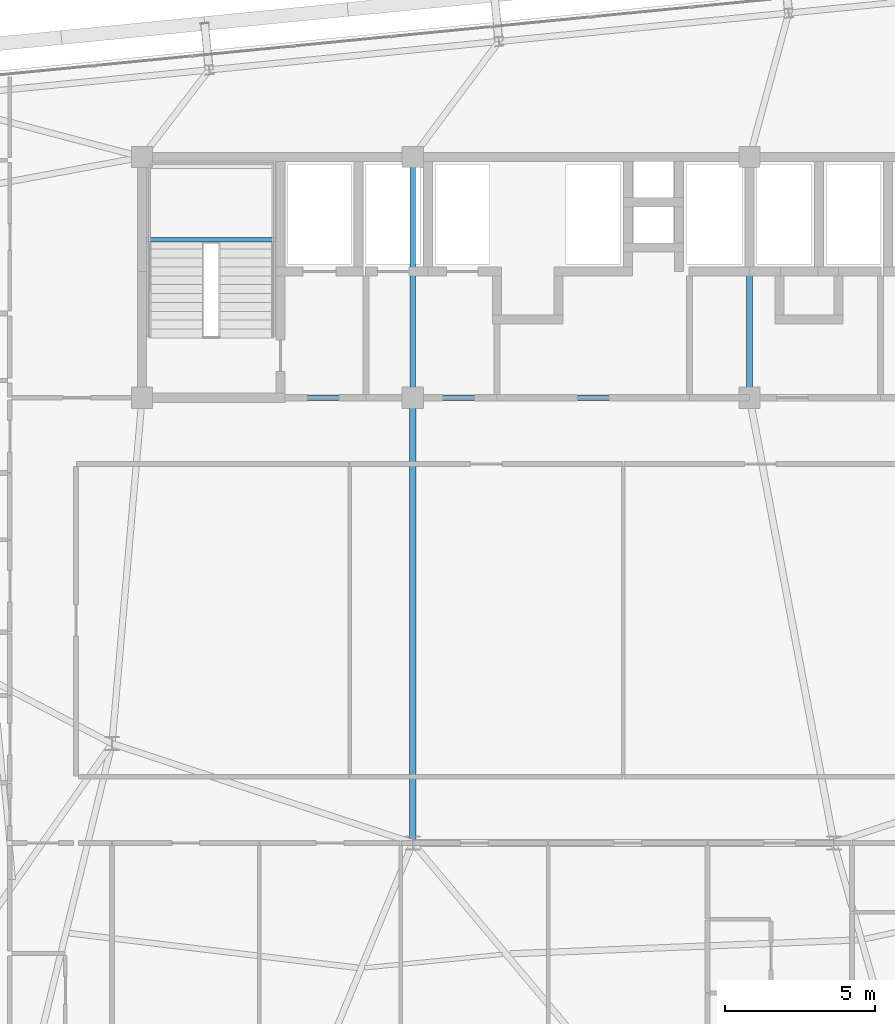
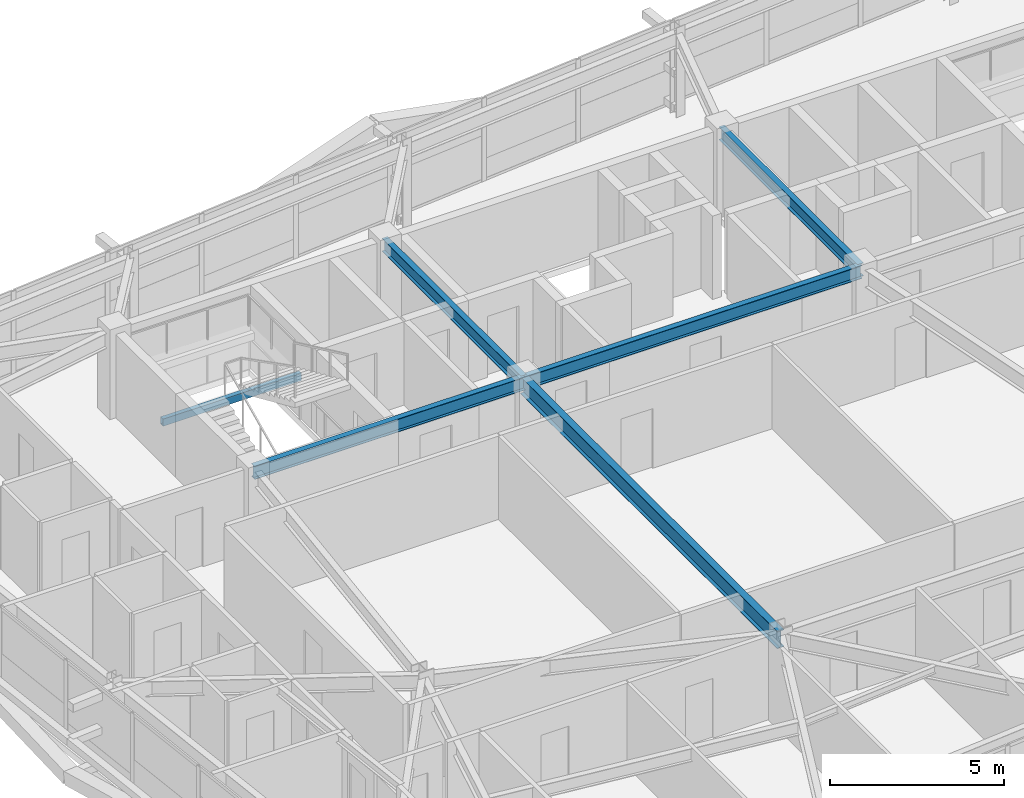
# One storey, part 16 of 53: 6 beams.
"""IFC4 building model written with IfcOpenShell, lengths in metres."""

import ifcopenshell
import ifcopenshell.guid

model = None  # the IFC model being written
_history = None  # IfcOwnerHistory: only IFC2X3 demands one
_inside = {}  # id of a spatial element -> (the spatial element, [elements in it])
_under = {}  # id of a project, library or spatial element -> (it, [spatial elements below it])
_declared = {}  # id of a project -> (the project, [libraries it declares])
_typed = {}  # id of a type object -> (the type object, [elements of that type])
_made_of = {}  # id of a material, layer set ... -> (it, [elements and type objects made of it])


def new_model(schema):
    """Start an empty IFC model of exactly this schema.

    Asked for "IFC4X3", IfcOpenShell would pick the latest addendum, in which some entities
    have other attributes; the version numbers below select the first issue.
    IFC2X3 requires an IfcOwnerHistory on every rooted entity: one is made here for all.
    """
    global model, _history
    if schema == "IFC4X3":
        model = ifcopenshell.file(schema_version=(4, 3, 0, 0))
    else:
        model = ifcopenshell.file(schema=schema)
    _inside.clear()
    _under.clear()
    _declared.clear()
    _typed.clear()
    _made_of.clear()
    _history = None
    if model.schema == "IFC2X3":
        org = make("IfcOrganization", Name="unknown")
        user = make(
            "IfcPersonAndOrganization",
            ThePerson=make("IfcPerson", FamilyName="unknown"),
            TheOrganization=org,
        )
        app = make(
            "IfcApplication",
            ApplicationDeveloper=org,
            Version="unknown",
            ApplicationFullName="unknown",
            ApplicationIdentifier="unknown",
        )
        _history = make(
            "IfcOwnerHistory",
            OwningUser=user,
            OwningApplication=app,
            ChangeAction="ADDED",
            CreationDate=0,
        )
    return model


def make(cls, **values):
    """One entity of the class cls with the attributes given. An attribute that is None is left unset."""
    return model.create_entity(
        cls, **{name: value for name, value in values.items() if value is not None}
    )


def rooted(cls, **values):
    """An entity with a GlobalId (a new one), such as an element, a storey or a relation."""
    return make(cls, GlobalId=ifcopenshell.guid.new(), OwnerHistory=_history, **values)


def si_unit(unit_type, name, prefix=None):
    """IfcSIUnit, for example si_unit("LENGTHUNIT", "METRE", prefix="MILLI")."""
    return make("IfcSIUnit", UnitType=unit_type, Prefix=prefix, Name=name)


def assignment(units):
    """IfcUnitAssignment: the units of a project."""
    return None if units is None else make("IfcUnitAssignment", Units=units)


def point(xyz):
    """IfcCartesianPoint."""
    return None if xyz is None else make("IfcCartesianPoint", Coordinates=xyz)


def direction(xyz):
    """IfcDirection."""
    return None if xyz is None else make("IfcDirection", DirectionRatios=xyz)


def frame(location, z_axis=None, x_axis=None):
    """IfcAxis2Placement3D, a coordinate frame: its origin and axes. An axis left out is left unset."""
    return make(
        "IfcAxis2Placement3D",
        Location=point(location),
        Axis=direction(z_axis),
        RefDirection=direction(x_axis),
    )


def frame_2d(location, x_axis=None):
    """IfcAxis2Placement2D, a coordinate frame in the plane: its origin and x axis."""
    return make(
        "IfcAxis2Placement2D", Location=point(location), RefDirection=direction(x_axis)
    )


def origin():
    """The frame at (0, 0, 0) with its axes left unset."""
    return frame((0.0, 0.0, 0.0))


def origin_2d():
    """The frame at (0, 0) in the plane with its x axis left unset."""
    return frame_2d((0.0, 0.0))


def place(relative_to, where):
    """IfcLocalPlacement: puts the frame where relative to a parent placement (None: the world)."""
    return make(
        "IfcLocalPlacement", PlacementRelTo=relative_to, RelativePlacement=where
    )


def context(
    kind, dimensions, precision=None, world=None, true_north=None, identifier=None
):
    """IfcGeometricRepresentationContext, for example the 3D "Model" context."""
    return make(
        "IfcGeometricRepresentationContext",
        ContextIdentifier=identifier,
        ContextType=kind,
        CoordinateSpaceDimension=dimensions,
        Precision=precision,
        WorldCoordinateSystem=world,
        TrueNorth=true_north,
    )


def subcontext(parent, identifier, kind, view, scale=None):
    """IfcGeometricRepresentationSubContext, for example "Body" below "Model"."""
    return make(
        "IfcGeometricRepresentationSubContext",
        ContextIdentifier=identifier,
        ContextType=kind,
        ParentContext=parent,
        TargetScale=scale,
        TargetView=view,
    )


def project(units=None, contexts=None):
    """IfcProject with its units and contexts."""
    return rooted(
        "IfcProject",
        Name="project",
        RepresentationContexts=contexts,
        UnitsInContext=assignment(units),
    )


def spatial(cls, under=None, at=None, **own):
    """A site, building, storey or space (cls), placed at a placement, below another one or the project."""
    s = rooted(cls, ObjectPlacement=at, **own)
    if under is not None:
        _under.setdefault(under.id(), (under, []))[1].append(s)
    return s


def profile(cls, at=None, kind="AREA", **sizes):
    """A parametric profile (cls). Its sizes go by their IFC names, for example OverallWidth=200.0."""
    return make(cls, ProfileType=kind, Position=at, **sizes)


def hollow_rectangle(**sizes):
    """IfcRectangleHollowProfileDef."""
    return profile("IfcRectangleHollowProfileDef", **sizes)


def i_section(**sizes):
    """IfcIShapeProfileDef."""
    return profile("IfcIShapeProfileDef", **sizes)


def extrude(swept, where, along, depth):
    """IfcExtrudedAreaSolid: the profile swept, set in the frame where, extruded along a direction by depth."""
    return make(
        "IfcExtrudedAreaSolid",
        SweptArea=swept,
        Position=where,
        ExtrudedDirection=direction(along),
        Depth=depth,
    )


def shape(context_of_items, identifier, shape_type, items):
    """IfcShapeRepresentation: the items that make up one representation, for example the "Body"."""
    return make(
        "IfcShapeRepresentation",
        ContextOfItems=context_of_items,
        RepresentationIdentifier=identifier,
        RepresentationType=shape_type,
        Items=items,
    )


def source(mapping_origin, context_of_items, identifier, shape_type, items):
    """IfcRepresentationMap: a shape defined once, which mapped items show again and again."""
    return make(
        "IfcRepresentationMap",
        MappingOrigin=mapping_origin,
        MappedRepresentation=shape(context_of_items, identifier, shape_type, items),
    )


def transform(
    local_origin,
    x_axis=None,
    y_axis=None,
    z_axis=None,
    scale=None,
    scale2=None,
    scale3=None,
    uniform=True,
):
    """IfcCartesianTransformationOperator3D, or its non-uniform kind. x_axis, y_axis, z_axis: its Axis1, 2, 3."""
    if uniform:
        return make(
            "IfcCartesianTransformationOperator3D",
            Axis1=direction(x_axis),
            Axis2=direction(y_axis),
            LocalOrigin=point(local_origin),
            Scale=scale,
            Axis3=direction(z_axis),
        )
    return make(
        "IfcCartesianTransformationOperator3DnonUniform",
        Axis1=direction(x_axis),
        Axis2=direction(y_axis),
        LocalOrigin=point(local_origin),
        Scale=scale,
        Axis3=direction(z_axis),
        Scale2=scale2,
        Scale3=scale3,
    )


def mapped(mapping_source, mapping_target):
    """IfcMappedItem: shows the shape of a source again, moved by a transform."""
    return make(
        "IfcMappedItem", MappingSource=mapping_source, MappingTarget=mapping_target
    )


def material(Name=None, Category=None):
    """IfcMaterial."""
    return make("IfcMaterial", Name=Name, Category=Category)


def material_profile(
    of_material, cross_section, Name=None, Category=None, Priority=None
):
    """IfcMaterialProfile: a cross section and its material."""
    return make(
        "IfcMaterialProfile",
        Name=Name,
        Material=of_material,
        Profile=cross_section,
        Priority=Priority,
        Category=Category,
    )


def profile_set(profiles, Name=None, composite=None):
    """IfcMaterialProfileSet."""
    return make(
        "IfcMaterialProfileSet",
        Name=Name,
        MaterialProfiles=profiles,
        CompositeProfile=composite,
    )


def made_of(thing, what):
    """Note that an element or type object is made of a material, layer set ...; save() writes the relation."""
    if what is not None:
        _made_of.setdefault(what.id(), (what, []))[1].append(thing)
    return thing


def type_object(cls, material=None, **own):
    """A type object (cls), such as IfcWallType, which elements share."""
    return made_of(rooted(cls, **own), material)


def element(
    cls,
    number,
    at=None,
    inside=None,
    cuts=None,
    type_object=None,
    material=None,
    context=None,
    identifier="Body",
    shape_type=None,
    held_by="IfcProductDefinitionShape",
    body=None,
    shapes=None,
    **own,
):
    """One element of the class cls, such as IfcWall. Its Tag is "e" and its number.

    at: its placement. inside: the storey or other place that contains it. cuts: it is an
    opening in that element (IfcRelVoidsElement). A single representation is given by context,
    identifier, shape_type and body (its items); several are given by shapes. held_by: the class
    of the entity that holds the representations. save() writes the other relations.
    """
    e = rooted(cls, Tag="e%d" % number, ObjectPlacement=at, **own)
    if body is not None:
        shapes = [shape(context, identifier, shape_type, body)]
    if shapes is not None:
        e.Representation = make(held_by, Representations=shapes)
    if inside is not None:
        _inside.setdefault(inside.id(), (inside, []))[1].append(e)
    if cuts is not None:
        rooted(
            "IfcRelVoidsElement", RelatingBuildingElement=cuts, RelatedOpeningElement=e
        )
    if type_object is not None:
        _typed.setdefault(type_object.id(), (type_object, []))[1].append(e)
    return made_of(e, material)


def aggregate(whole, parts):
    """IfcRelAggregates: a whole, such as a stair, and the parts it consists of."""
    return rooted("IfcRelAggregates", RelatingObject=whole, RelatedObjects=parts)


def save(model, path):
    """Write the relations noted so far, then the file.

    IfcRelAggregates (storeys below a building ...), IfcRelContainedInSpatialStructure (elements
    in a storey), IfcRelDefinesByType, IfcRelAssociatesMaterial and IfcRelDeclares: one each for
    every whole, place, type object, material and project.
    """
    for whole, parts in _under.values():
        aggregate(whole, parts)
    for where, things in _inside.values():
        rooted(
            "IfcRelContainedInSpatialStructure",
            RelatedElements=things,
            RelatingStructure=where,
        )
    for kind, things in _typed.values():
        rooted("IfcRelDefinesByType", RelatedObjects=things, RelatingType=kind)
    for what, things in _made_of.values():
        rooted("IfcRelAssociatesMaterial", RelatedObjects=things, RelatingMaterial=what)
    for by, libraries in _declared.values():
        rooted("IfcRelDeclares", RelatingContext=by, RelatedDefinitions=libraries)
    model.write(path)


model = new_model("IFC4")

# Units and contexts
model_context = context("Model", 3, precision=1e-05, world=origin(), true_north=direction((0.0, 1.0)))
body_context = subcontext(model_context, "Body", "Model", "MODEL_VIEW")
ifc_project = project(units=[si_unit("LENGTHUNIT", "METRE"), si_unit("AREAUNIT", "SQUARE_METRE"), si_unit("VOLUMEUNIT", "CUBIC_METRE"), si_unit("PLANEANGLEUNIT", "RADIAN"), si_unit("MASSUNIT", "GRAM", prefix="KILO")], contexts=[model_context])

# Site, building, storey
site_placement = place(None, origin())
site = spatial("IfcSite", under=ifc_project, at=site_placement, CompositionType="ELEMENT")
building_placement = place(site_placement, origin())
building = spatial("IfcBuilding", under=site, at=building_placement, Name="Taldren Reach Tower", CompositionType="ELEMENT")
storey_placement = place(building_placement, frame((0.0, 0.0, 71.39990234375)))
storey = spatial("IfcBuildingStorey", under=building, at=storey_placement, Name="L21", CompositionType="ELEMENT", Elevation=71.39990234375)

# Beams
ifc_material_1 = material(Name="Steel Gr 350 (350PLUS)", Category="steel")
ifc_material_profile_1 = material_profile(ifc_material_1, i_section(OverallWidth=0.19091796875, OverallDepth=0.4599609375, WebThickness=0.010009765625, FlangeThickness=0.01611328125, at=origin_2d()), Name="460UB82.1")
ifc_profile_set_1 = profile_set([ifc_material_profile_1], Name="Steel Gr 350 (350PLUS)")
beam_type_1 = type_object("IfcBeamType", Name="BM-UB460A", PredefinedType="BEAM", material=ifc_profile_set_1)
shared_shape_1 = source(origin(), body_context, "Body", "SweptSolid", [
    extrude(i_section(OverallWidth=0.19091796875, OverallDepth=0.4599609375, WebThickness=0.010009765625, FlangeThickness=0.01611328125, at=origin_2d()), origin(), (0.0, 0.0, 1.0), 9.0),
])
beam_1_placement = place(storey_placement, frame((19.0, 24.0, 2.7001953125), z_axis=(1.0, 0.0, 0.0), x_axis=(0.0, 1.0, 0.0)))
element("IfcBeam", 1, at=beam_1_placement, inside=storey, type_object=beam_type_1, Name="Core-spine girder L21-SP01", PredefinedType="BEAM", context=body_context, shape_type="MappedRepresentation", body=[
    mapped(shared_shape_1, transform((0.0, 0.0, 0.0), scale=1.0)),
])
shared_shape_2 = source(origin(), body_context, "Body", "SweptSolid", [
    extrude(i_section(OverallWidth=0.19091796875, OverallDepth=0.4599609375, WebThickness=0.010009765625, FlangeThickness=0.01611328125, at=origin_2d()), origin(), (0.0, 0.0, 1.0), 11.199951171875),
])
beam_2_placement = place(storey_placement, frame((28.0, 24.0, 2.7001953125), z_axis=(1.0, 0.0, 0.0), x_axis=(0.0, 1.0, 0.0)))
element("IfcBeam", 2, at=beam_2_placement, inside=storey, type_object=beam_type_1, Name="Core-spine girder L21-SP02", PredefinedType="BEAM", context=body_context, shape_type="MappedRepresentation", body=[
    mapped(shared_shape_2, transform((0.0, 0.0, 0.0), scale=1.0)),
])
shared_shape_3 = source(origin(), body_context, "Body", "SweptSolid", [
    extrude(i_section(OverallWidth=0.19091796875, OverallDepth=0.4599609375, WebThickness=0.010009765625, FlangeThickness=0.01611328125, at=origin_2d()), origin(), (0.0, 0.0, 1.0), 8.0),
])
for number, where, z_axis, x_axis, name in (
    (3, (28.0, 24.0, 2.7001953125), (0.0, 1.0, 0.0), (-1.0, 0.0, 0.0), "Core-spine girder L21-SP07"),
    (4, (39.199951171875, 24.0, 2.7001953125), (0.0, 1.0, 0.0), (-1.0, 0.0, 0.0), "Core-spine girder L21-SP08"),
):
    element("IfcBeam", number, at=place(storey_placement, frame(where, z_axis=z_axis, x_axis=x_axis)), inside=storey, type_object=beam_type_1, Name=name, PredefinedType="BEAM", context=body_context, shape_type="MappedRepresentation", body=[
        mapped(shared_shape_3, transform((0.0, 0.0, 0.0), scale=1.0)),
    ])
ifc_material_profile_2 = material_profile(ifc_material_1, i_section(OverallWidth=0.22802734375, OverallDepth=0.60205078125, WebThickness=0.010498046875, FlangeThickness=0.014892578125, at=origin_2d()), Name="610UB101")
ifc_profile_set_2 = profile_set([ifc_material_profile_2], Name="Steel Gr 350 (350PLUS)")
beam_type_2 = type_object("IfcBeamType", Name="BM-UB610B", PredefinedType="BEAM", material=ifc_profile_set_2)
shared_shape_4 = source(origin(), body_context, "Body", "SweptSolid", [
    extrude(i_section(OverallWidth=0.22802734375, OverallDepth=0.60205078125, WebThickness=0.010498046875, FlangeThickness=0.014892578125, at=origin_2d()), origin(), (0.0, 0.0, 1.0), 14.800048828125),
])
beam_3_placement = place(storey_placement, frame((28.0, 24.0, 2.629150390625), z_axis=(0.0, -1.0, 0.0), x_axis=(1.0, 0.0, 0.0)))
element("IfcBeam", 5, at=beam_3_placement, inside=storey, type_object=beam_type_2, Name="Core-spine girder L21-SP14", PredefinedType="BEAM", context=body_context, shape_type="MappedRepresentation", body=[
    mapped(shared_shape_4, transform((0.0, 0.0, 0.0), scale=1.0)),
])
ifc_material_2 = material(Name="Steel Gr 350 (C350L0)", Category="steel")
ifc_material_profile_3 = material_profile(ifc_material_2, hollow_rectangle(XDim=0.14990234375, YDim=0.25, WallThickness=0.009033203125, at=origin_2d()), Name="250x150x9.0RHS")
ifc_profile_set_3 = profile_set([ifc_material_profile_3], Name="Steel Gr 350 (C350L0)")
beam_type_3 = type_object("IfcBeamType", Name="LN-RHS250", PredefinedType="LINTEL", material=ifc_profile_set_3)
shared_shape_5 = source(origin(), body_context, "Body", "SweptSolid", [
    extrude(hollow_rectangle(XDim=0.14990234375, YDim=0.25, WallThickness=0.009033203125, at=origin_2d()), origin(), (0.0, 0.0, 1.0), 4.60009765625),
])
beam_4_placement = place(storey_placement, frame((19.0, 29.2548828125, 1.27001953125), z_axis=(1.0, 0.0, 0.0), x_axis=(0.0, 1.0, 0.0)))
element("IfcBeam", 6, at=beam_4_placement, inside=storey, type_object=beam_type_3, Name="Stair half-landing support beam ST1-L21-1", PredefinedType="LINTEL", context=body_context, shape_type="MappedRepresentation", body=[
    mapped(shared_shape_5, transform((0.0, 0.0, 0.0), scale=1.0)),
])

save(model, "model.ifc")
